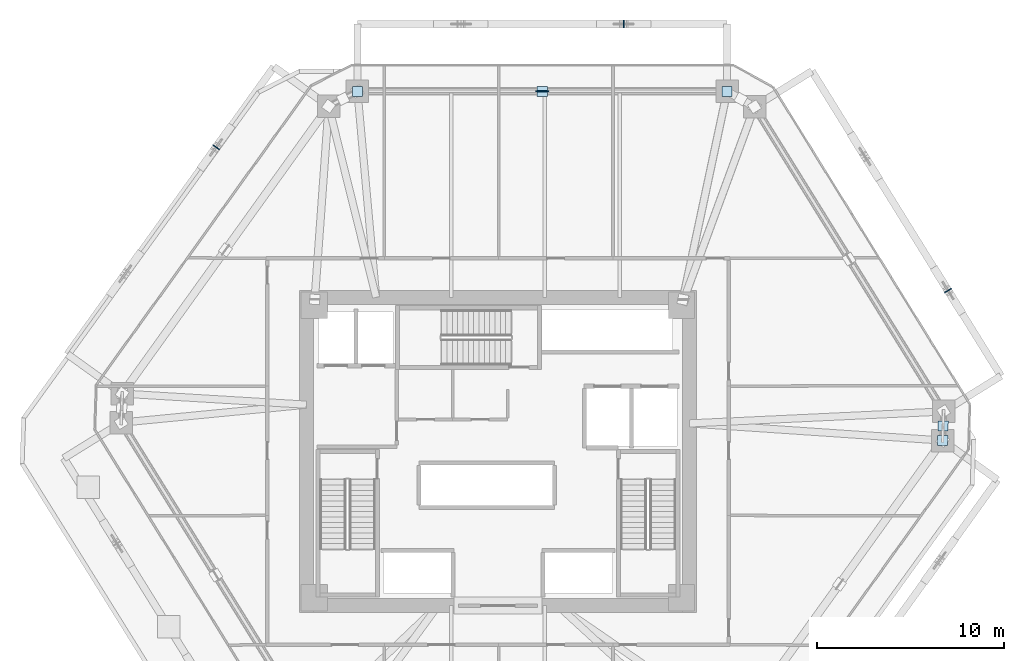
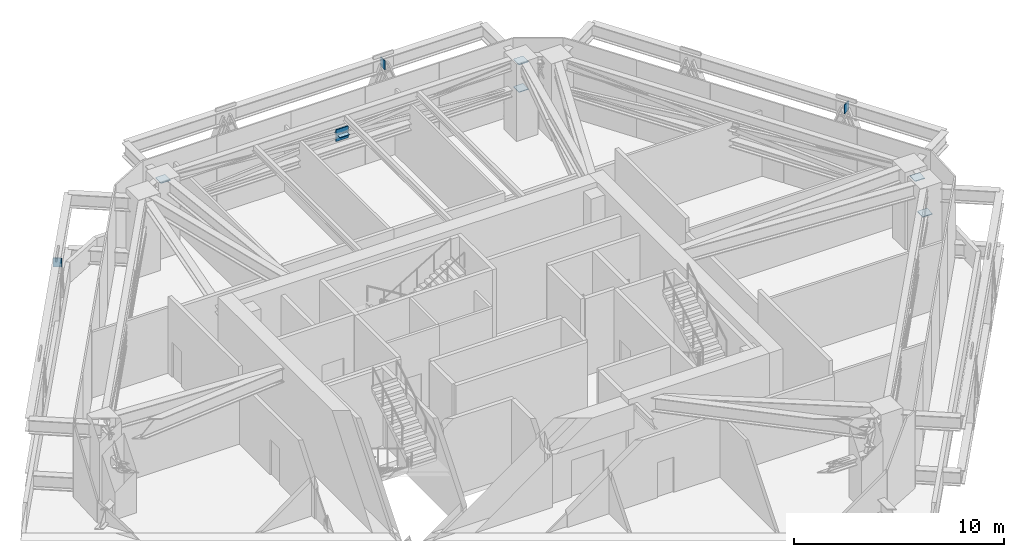
# One storey, part 6 of 10: 10 plates.
"""IFC4 building model written with IfcOpenShell, lengths in metres."""

from ifc_helpers import new_model, si_unit, direction, frame, origin, origin_2d, place, context, subcontext, project, spatial, rectangle, extrude, source, transform, mapped, material, layer, layer_set, type_object, type_shapes, element, save


model = new_model("IFC4")

# Units and contexts
model_context = context("Model", 3, precision=1e-05, world=origin(), true_north=direction((0.0, 1.0)))
body_context = subcontext(model_context, "Body", "Model", "MODEL_VIEW")
ifc_project = project(units=[si_unit("LENGTHUNIT", "METRE"), si_unit("AREAUNIT", "SQUARE_METRE"), si_unit("VOLUMEUNIT", "CUBIC_METRE"), si_unit("PLANEANGLEUNIT", "RADIAN"), si_unit("MASSUNIT", "GRAM", prefix="KILO")], contexts=[model_context])

# Site, building, storey
site_placement = place(None, origin())
site = spatial("IfcSite", under=ifc_project, at=site_placement, CompositionType="ELEMENT")
building_placement = place(site_placement, origin())
building = spatial("IfcBuilding", under=site, at=building_placement, Name="Durnholm Broadcast Tower", CompositionType="ELEMENT")
storey_placement = place(building_placement, frame((0.0, 0.0, 88.5)))
storey = spatial("IfcBuildingStorey", under=building, at=storey_placement, Name="L23", CompositionType="ELEMENT", Elevation=88.5)

# Plates
ifc_material_1 = material(Name="Steel ASTM A572 Grade 50", Category="steel")
ifc_layer_1 = layer(ifc_material_1, 0.0400390625)
ifc_layer_set_1 = layer_set([ifc_layer_1], Name="Steel ASTM A572 Grade 50")
plate_type_1 = type_object("IfcPlateType", Name="PLT-KN-CAP", PredefinedType="USERDEFINED", material=ifc_layer_set_1)
shared_shape_1 = source(origin(), body_context, "Body", "SweptSolid", [
    extrude(rectangle(XDim=0.5400390625, YDim=0.5400390625, at=origin_2d()), origin(), (0.0, 0.0, 1.0), 0.0400390625),
])
type_shapes(plate_type_1, [shared_shape_1])
for number, where, z_axis, x_axis, name in (
    (1, (12.22998046875, 19.215087890625, 2.530029296875), (0.0, 0.0, 1.0), (1.0, 0.0, 0.0), "L23 hollow section end cap plate BT-CH-L23-05 2"),
    (2, (12.22998046875, 19.215087890625, 4.1298828125), (0.0, 0.0, 1.0), (1.0, 0.0, 0.0), "L23 hollow section end cap plate BT-XCONT-L23-05 2"),
    (3, (2.365966796875, 19.215087890625, 3.330078125), (0.0, 0.0, 1.0), (-1.0, 0.0, 0.0), "L23 hollow section end cap plate BT-XSPLIT-L23-05-1 2"),
    (4, (-7.498046875, 19.215087890625, 4.1298828125), (0.0, 0.0, 1.0), (-1.0, 0.0, 0.0), "L23 hollow section end cap plate BT-XSPLIT-L23-05-2 2"),
    (5, (23.72802734375, 0.5869140625, 2.530029296875), (0.0, 0.0, 1.0), (-0.033852918131, -0.999426825703, 0.0), "L23 hollow section end cap plate BT-CH-L23-08 2"),
    (6, (23.75439453125, 1.36181640625, 4.1298828125), (0.0, 0.0, 1.0), (-0.033852918131, -0.999426825703, 0.0), "L23 hollow section end cap plate BT-BR-L23-08-1 2"),
):
    element("IfcPlate", number, at=place(storey_placement, frame(where, z_axis=z_axis, x_axis=x_axis)), inside=storey, type_object=plate_type_1, Name=name, ObjectType="CAP_PLATE", PredefinedType="USERDEFINED", context=body_context, shape_type="MappedRepresentation", body=[
        mapped(shared_shape_1, transform((0.0, 0.0, 0.0), x_axis=(1.0, 0.0, 0.0), y_axis=(0.0, 1.0, 0.0), z_axis=(0.0, 0.0, 1.0), scale=1.0)),
    ])
ifc_material_2 = material(Name="ASTM A572 Grade 50 Steel", Category="steel")
ifc_layer_2 = layer(ifc_material_2, 0.06005859375)
ifc_layer_set_2 = layer_set([ifc_layer_2], Name="ASTM A572 Grade 50 Steel")
plate_type_2 = type_object("IfcPlateType", Name="PLT-KN-X1", PredefinedType="USERDEFINED", material=ifc_layer_set_2)
shared_shape_2 = source(origin(), body_context, "Body", "SweptSolid", [
    extrude(rectangle(XDim=0.679931640625, YDim=0.06005859375, at=origin_2d()), origin(), (0.0, 0.0, 1.0), 0.679931640625),
])
type_shapes(plate_type_2, [shared_shape_2])
plate_placement = place(storey_placement, frame((2.365966796875, 19.215087890625, 3.01025390625), z_axis=(0.0, 0.0, 1.0), x_axis=(1.0, 0.0, 0.0)))
element("IfcPlate", 7, at=plate_placement, inside=storey, type_object=plate_type_2, Name="L23 belt-truss X-brace crossing gusset plate 05", ObjectType="GUSSET_PLATE", PredefinedType="USERDEFINED", context=body_context, shape_type="MappedRepresentation", body=[
    mapped(shared_shape_2, transform((0.0, 0.0, 0.0), x_axis=(1.0, 0.0, 0.0), y_axis=(0.0, 1.0, 0.0), z_axis=(0.0, 0.0, 1.0), scale=1.0)),
])
ifc_layer_3 = layer(ifc_material_1, 0.044921875)
ifc_layer_set_3 = layer_set([ifc_layer_3], Name="Steel ASTM A572 Grade 50")
plate_type_3 = type_object("IfcPlateType", Name="PLT-KN-STIF", PredefinedType="SHEET", material=ifc_layer_set_3)
shared_shape_3 = source(origin(), body_context, "Body", "SweptSolid", [
    extrude(rectangle(XDim=0.044921875, YDim=0.419921875, at=origin_2d()), origin(), (0.0, 0.0, 1.0), 0.52001953125),
])
type_shapes(plate_type_3, [shared_shape_3])
for number, where, z_axis, x_axis, name in (
    (8, (24.01513671875, 8.58837890625, 3.488525390625), (0.0, 0.0, 1.0), (-0.527104121728, 0.849800708906, 0.0), "L23 welded diagrid node stiffener plate F3"),
    (9, (6.7060546875, 22.81494140625, 3.488525390625), (0.0, 0.0, 1.0), (-1.0, 0.0, 0.0), "L23 welded diagrid node stiffener plate F4"),
    (10, (-15.040771484375, 16.234375, 3.488525390625), (0.0, 0.0, 1.0), (-0.583399467156, -0.812185361677, 0.0), "L23 welded diagrid node stiffener plate F5"),
):
    element("IfcPlate", number, at=place(storey_placement, frame(where, z_axis=z_axis, x_axis=x_axis)), inside=storey, type_object=plate_type_3, Name=name, PredefinedType="SHEET", context=body_context, shape_type="MappedRepresentation", body=[
        mapped(shared_shape_3, transform((0.0, 0.0, 0.0), x_axis=(1.0, 0.0, 0.0), y_axis=(0.0, 1.0, 0.0), z_axis=(0.0, 0.0, 1.0), scale=1.0)),
    ])

save(model, "model.ifc")
